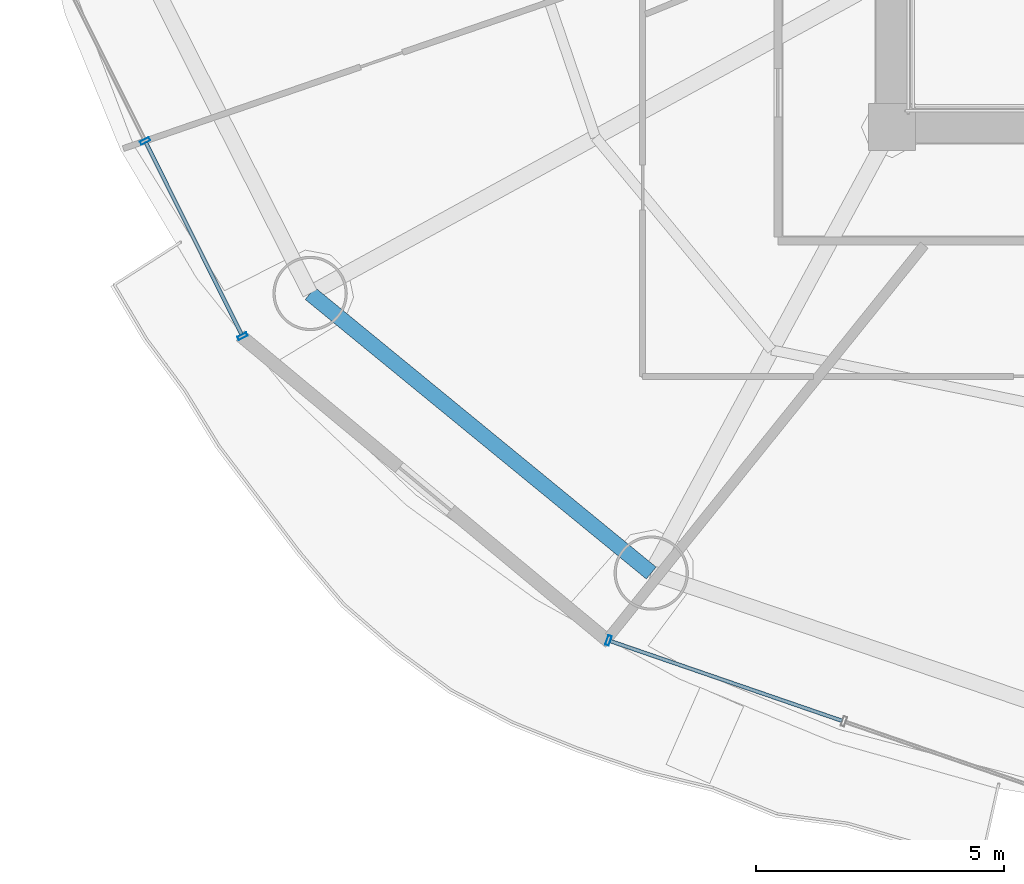
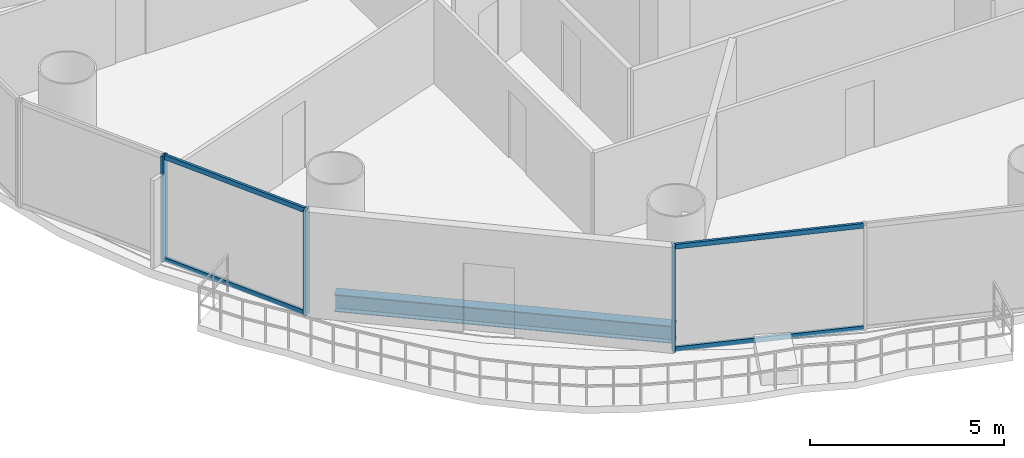
# One storey, part 2 of 29: 7 members, 1 beam, 2 elements without a shape of their own.
"""IFC4 building model written with IfcOpenShell, lengths in metres."""

from ifc_helpers import new_model, si_unit, direction, frame, origin, origin_2d, place, context, subcontext, project, spatial, hollow_rectangle, i_section, extrude, source, transform, mapped, material, material_profile, profile_set, type_object, element, aggregate, save


model = new_model("IFC4")

# Units and contexts
model_context = context("Model", 3, precision=1e-05, world=origin(), true_north=direction((-0.2419218956, 0.970295726276)))
body_context = subcontext(model_context, "Body", "Model", "MODEL_VIEW")
ifc_project = project(units=[si_unit("LENGTHUNIT", "METRE"), si_unit("AREAUNIT", "SQUARE_METRE"), si_unit("VOLUMEUNIT", "CUBIC_METRE"), si_unit("PLANEANGLEUNIT", "RADIAN"), si_unit("MASSUNIT", "GRAM", prefix="KILO")], contexts=[model_context])

# Site, building, storey
site_placement = place(None, origin())
site = spatial("IfcSite", under=ifc_project, at=site_placement, CompositionType="ELEMENT")
building_placement = place(site_placement, origin())
building = spatial("IfcBuilding", under=site, at=building_placement, Name="Cobrevalo Terracotta Tower", CompositionType="ELEMENT")
storey_placement = place(building_placement, frame((0.0, 0.0, 112.199951171875)))
storey = spatial("IfcBuildingStorey", under=building, at=storey_placement, Name="L29", CompositionType="ELEMENT", Elevation=112.199951171875)

# Beam
ifc_material_1 = material(Name="Steel S355", Category="steel")
ifc_material_profile_1 = material_profile(ifc_material_1, i_section(OverallWidth=0.31201171875, OverallDepth=0.54296875, WebThickness=0.0126953125, FlangeThickness=0.020263671875, at=origin_2d()), Name="W 530x150")
ifc_profile_set_1 = profile_set([ifc_material_profile_1], Name="Steel S355")
beam_type = type_object("IfcBeamType", Name="Structural Spandrel W 530x150 (Steel S355)", PredefinedType="SPANDREL", material=ifc_profile_set_1)
beam_placement = place(storey_placement, frame((17.2548828125, 15.4384765625, -0.54638671875), z_axis=(0.773400923541, -0.633917196064, 0.0), x_axis=(0.633917196064, 0.773400923541, 0.0)))
element("IfcBeam", 1, at=beam_placement, inside=storey, type_object=beam_type, Name="L29 perimeter ring spandrel 10", PredefinedType="SPANDREL", context=body_context, shape_type="SweptSolid", body=[
    extrude(i_section(OverallWidth=0.31201171875, OverallDepth=0.54296875, WebThickness=0.0126953125, FlangeThickness=0.020263671875, at=origin_2d()), origin(), (0.0, 0.0, 1.0), 8.900390625),
])

# Curtain wall, members
ifc_material_2 = material(Name="Anodized aluminium", Category="aluminium")
curtain_wall_type = type_object("IfcCurtainWallType", Name="Lower-tower unitised acoustic low-E curtain wall CW-U1", PredefinedType="NOTDEFINED", material=ifc_material_2)
curtain_wall_1_placement = place(storey_placement, origin())
curtain_wall_1 = element("IfcCurtainWall", 2, at=curtain_wall_1_placement, inside=storey, type_object=curtain_wall_type, Name="L29 curtain wall CW-L29-S09", PredefinedType="NOTDEFINED")
ifc_material_profile_2 = material_profile(ifc_material_2, hollow_rectangle(XDim=0.074951171875, YDim=0.199951171875, WallThickness=0.0048828125, at=origin_2d()), Name="CWM 75x200")
ifc_profile_set_2 = profile_set([ifc_material_profile_2], Name="Anodized aluminium")
member_type_1 = type_object("IfcMemberType", Name="Lower/mid tower unitised mullion 75x200", PredefinedType="MULLION", material=ifc_profile_set_2)
shared_shape_1 = source(origin(), body_context, "Body", "SweptSolid", [
    extrude(hollow_rectangle(XDim=0.074951171875, YDim=0.199951171875, WallThickness=0.0048828125, at=origin_2d()), origin(), (0.0, 0.0, 1.0), 3.324951171875),
])
member_1_placement = place(storey_placement, frame((13.924072265625, 18.516357421875, 0.0), z_axis=(0.0, 0.0, 1.0), x_axis=(0.446260290227, -0.894903208937, 0.0)))
member_1 = element("IfcMember", 3, at=member_1_placement, type_object=member_type_1, Name="CW-L29-S09 vertical mullion 02", PredefinedType="MULLION", context=body_context, shape_type="MappedRepresentation", body=[
    mapped(shared_shape_1, transform((0.0, 0.0, 0.0), scale=1.0)),
])
member_2_placement = place(storey_placement, frame((15.889892578125, 14.574462890625, 0.0), z_axis=(0.0, 0.0, 1.0), x_axis=(0.446260290227, -0.894903208937, 0.0)))
member_2 = element("IfcMember", 4, at=member_2_placement, type_object=member_type_1, Name="CW-L29-S09 vertical mullion 03", PredefinedType="MULLION", context=body_context, shape_type="MappedRepresentation", body=[
    mapped(shared_shape_1, transform((0.0, 0.0, 0.0), scale=1.0)),
])

curtain_wall_2_placement = place(storey_placement, origin())
curtain_wall_2 = element("IfcCurtainWall", 5, at=curtain_wall_2_placement, inside=storey, type_object=curtain_wall_type, Name="L29 curtain wall CW-L29-S11", PredefinedType="NOTDEFINED")
member_3_placement = place(storey_placement, frame((23.2763671875, 8.4365234375, 0.0), z_axis=(0.0, 0.0, 1.0), x_axis=(0.94559809868, -0.325337110968, 0.0)))
member_3 = element("IfcMember", 6, at=member_3_placement, type_object=member_type_1, Name="CW-L29-S11 vertical mullion 01", PredefinedType="MULLION", context=body_context, shape_type="MappedRepresentation", body=[
    mapped(shared_shape_1, transform((0.0, 0.0, 0.0), scale=1.0)),
])
ifc_material_profile_3 = material_profile(ifc_material_2, hollow_rectangle(XDim=0.074951171875, YDim=0.14990234375, WallThickness=0.00439453125, at=origin_2d()), Name="CWT 75x150")
ifc_profile_set_3 = profile_set([ifc_material_profile_3], Name="Anodized aluminium")
member_type_2 = type_object("IfcMemberType", Name="Tower unitised aluminium transom 75x150", PredefinedType="USERDEFINED", material=ifc_profile_set_3)
shared_shape_2 = source(origin(), body_context, "Body", "SweptSolid", [
    extrude(hollow_rectangle(XDim=0.074951171875, YDim=0.14990234375, WallThickness=0.00439453125, at=origin_2d()), origin(), (0.0, 0.0, 1.0), 4.944580078125),
])
member_4_placement = place(storey_placement, frame((23.314208984375, 8.42333984375, 0.050048828125), z_axis=(0.945597859971, -0.32533780478, 0.0), x_axis=(0.32533780478, 0.945597859971, 0.0)))
member_4 = element("IfcMember", 7, at=member_4_placement, type_object=member_type_2, Name="CW-L29-S11 transom B01-T1", ObjectType="TRANSOM", PredefinedType="USERDEFINED", context=body_context, shape_type="MappedRepresentation", body=[
    mapped(shared_shape_2, transform((0.0, 0.0, 0.0), scale=1.0)),
])
member_5_placement = place(storey_placement, frame((23.314208984375, 8.42333984375, 3.275146484375), z_axis=(0.945597859971, -0.32533780478, 0.0), x_axis=(0.32533780478, 0.945597859971, 0.0)))
member_5 = element("IfcMember", 8, at=member_5_placement, type_object=member_type_2, Name="CW-L29-S11 transom B01-T2", ObjectType="TRANSOM", PredefinedType="USERDEFINED", context=body_context, shape_type="MappedRepresentation", body=[
    mapped(shared_shape_2, transform((0.0, 0.0, 0.0), scale=1.0)),
])
aggregate(curtain_wall_2, [member_3, member_4, member_5])

# Member
shared_shape_3 = source(origin(), body_context, "Body", "SweptSolid", [
    extrude(hollow_rectangle(XDim=0.074951171875, YDim=0.14990234375, WallThickness=0.00439453125, at=origin_2d()), origin(), (0.0, 0.0, 1.0), 4.324951171875),
])
member_6_placement = place(storey_placement, frame((13.942138671875, 18.480712890625, 0.050048828125), z_axis=(0.446219838389, -0.894923379864, 0.0), x_axis=(0.894923379864, 0.446219838389, 0.0)))
member_6 = element("IfcMember", 9, at=member_6_placement, type_object=member_type_2, Name="CW-L29-S09 transom B02-T1", ObjectType="TRANSOM", PredefinedType="USERDEFINED", context=body_context, shape_type="MappedRepresentation", body=[
    mapped(shared_shape_3, transform((0.0, 0.0, 0.0), scale=1.0)),
])

member_7_placement = place(storey_placement, frame((13.942138671875, 18.480712890625, 3.275146484375), z_axis=(0.446219838389, -0.894923379864, 0.0), x_axis=(0.894923379864, 0.446219838389, 0.0)))
member_7 = element("IfcMember", 10, at=member_7_placement, type_object=member_type_2, Name="CW-L29-S09 transom B02-T2", ObjectType="TRANSOM", PredefinedType="USERDEFINED", context=body_context, shape_type="MappedRepresentation", body=[
    mapped(shared_shape_3, transform((0.0, 0.0, 0.0), scale=1.0)),
])

aggregate(curtain_wall_1, [member_1, member_2, member_6, member_7])

save(model, "model.ifc")
